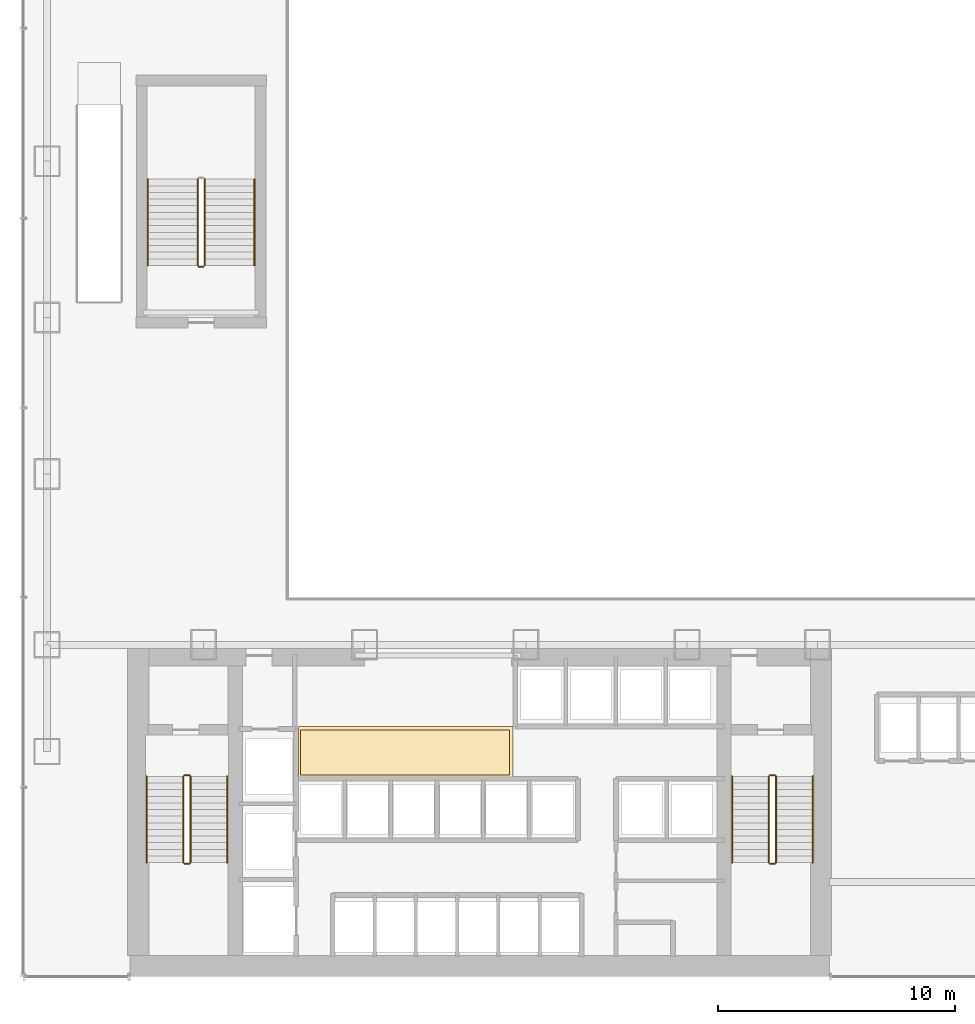
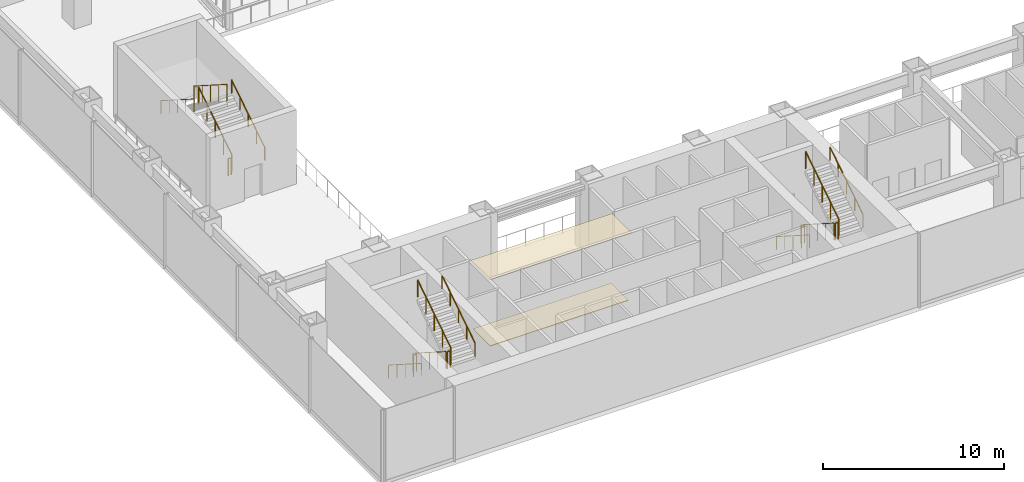
# One storey, part 32 of 39: 17 railings, 2 coverings.
"""IFC4 building model written with IfcOpenShell, lengths in metres."""

from ifc_helpers import new_model, si_unit, derived_unit, direction, frame, origin, origin_2d, place, context, subcontext, project, spatial, polyline, circle, outline, extrude, material, layer, layer_set, type_object, element, save


model = new_model("IFC4")

# Units and contexts
model_context = context("Model", 3, precision=1e-05, world=origin(), true_north=direction((0.0, 1.0)))
body_context = subcontext(model_context, "Body", "Model", "MODEL_VIEW")
ifc_project = project(units=[si_unit("LENGTHUNIT", "METRE"), si_unit("AREAUNIT", "SQUARE_METRE"), si_unit("VOLUMEUNIT", "CUBIC_METRE"), si_unit("PLANEANGLEUNIT", "RADIAN"), si_unit("MASSUNIT", "GRAM", prefix="KILO"), derived_unit("THERMALTRANSMITTANCEUNIT", [(si_unit("POWERUNIT", "WATT"), 1), (si_unit("LENGTHUNIT", "METRE"), -2), (si_unit("THERMODYNAMICTEMPERATUREUNIT", "KELVIN"), -1)])], contexts=[model_context])

# Site, building, storey
site_placement = place(None, origin())
site = spatial("IfcSite", under=ifc_project, at=site_placement, CompositionType="ELEMENT")
building_placement = place(site_placement, origin())
building = spatial("IfcBuilding", under=site, at=building_placement, Name="Skarnbrae Concourse Arena and Tower", CompositionType="ELEMENT")
storey_placement = place(building_placement, frame((0.0, 0.0, 11.0)))
storey = spatial("IfcBuildingStorey", under=building, at=storey_placement, Name="L02", CompositionType="ELEMENT", Elevation=11.0)

# Coverings
ifc_material_1 = material(Name="Mineral fibre acoustic ceiling tile", Category="other")
ifc_layer_1 = layer(ifc_material_1, 0.0400390625)
ifc_layer_set_1 = layer_set([ifc_layer_1], Name="Mineral fibre acoustic ceiling tile")
covering_type_1 = type_object("IfcCoveringType", Name="COV-CEIL-ACOUSTIC", PredefinedType="CEILING", material=ifc_layer_set_1)
covering_1_placement = place(storey_placement, frame((0.0, 0.0, 4.5400390625)))
element("IfcCovering", 1, at=covering_1_placement, inside=storey, type_object=covering_type_1, Name="L02 Lift lobby acoustic ceiling", PredefinedType="CEILING", context=body_context, shape_type="SweptSolid", body=[
    extrude(outline(polyline([(11.60009765625, 8.39990234375), (20.64990234375, 8.39990234375), (20.64990234375, 10.550048828125), (11.60009765625, 10.550048828125), (11.60009765625, 8.39990234375)])), origin(), (0.0, 0.0, 1.0), 0.0400390625),
])
ifc_material_2 = material(Name="Polished granite terrazzo flooring", Category="masonry")
ifc_layer_2 = layer(ifc_material_2, 0.0400390625)
ifc_layer_set_2 = layer_set([ifc_layer_2], Name="Polished granite terrazzo flooring")
covering_type_2 = type_object("IfcCoveringType", Name="COV-FLOOR-TERRAZZO", PredefinedType="FLOORING", material=ifc_layer_set_2)
covering_2_placement = place(storey_placement, origin())
element("IfcCovering", 2, at=covering_2_placement, inside=storey, type_object=covering_type_2, Name="L02 Lift lobby terrazzo flooring", PredefinedType="FLOORING", context=body_context, shape_type="SweptSolid", body=[
    extrude(outline(polyline([(11.699951171875, 8.5), (20.5, 8.5), (20.5, 10.39990234375), (11.699951171875, 10.39990234375), (11.699951171875, 8.5)])), origin(), (0.0, 0.0, 1.0), 0.0400390625),
])

# Railings
ifc_material_3 = material(Name="Steel CSA G40.21 350W", Category="steel")
railing_type_1 = type_object("IfcRailingType", Name="RAIL-HANDRAIL-900", PredefinedType="HANDRAIL", material=ifc_material_3)
railing_1_placement = place(storey_placement, frame((5.199951171875, 8.449951171875, 0.178466796875)))
element("IfcRailing", 3, at=railing_1_placement, inside=storey, type_object=railing_type_1, Name="L02 ST-1 stair handrail 1", PredefinedType="HANDRAIL", context=body_context, shape_type="SweptSolid", body=[
    extrude(circle(Radius=0.02392578125, at=origin_2d()), frame((0.0, 0.0, 0.8759765625), z_axis=(0.0, -0.843111507901, 0.53773877045), x_axis=(1.0, 0.0, 0.0)), (0.0, 0.0, 1.0), 4.317138671875),
    extrude(circle(Radius=0.02099609375, at=origin_2d()), origin(), (0.0, 0.0, 1.0), 0.851806640625),
    extrude(circle(Radius=0.02099609375, at=origin_2d()), frame((0.0, -0.909912109375, 0.580322265625)), (0.0, 0.0, 1.0), 0.851806640625),
    extrude(circle(Radius=0.02099609375, at=origin_2d()), frame((0.0, -1.81982421875, 1.16064453125)), (0.0, 0.0, 1.0), 0.851806640625),
    extrude(circle(Radius=0.02099609375, at=origin_2d()), frame((0.0, -2.72998046875, 1.7412109375)), (0.0, 0.0, 1.0), 0.851806640625),
    extrude(circle(Radius=0.02099609375, at=origin_2d()), frame((0.0, -3.639892578125, 2.321533203125)), (0.0, 0.0, 1.0), 0.851806640625),
])
railing_2_placement = place(storey_placement, frame((8.60009765625, 4.81005859375, 2.678466796875)))
element("IfcRailing", 4, at=railing_2_placement, inside=storey, type_object=railing_type_1, Name="L02 ST-1 stair handrail 2", PredefinedType="HANDRAIL", context=body_context, shape_type="SweptSolid", body=[
    extrude(circle(Radius=0.02392578125, at=origin_2d()), frame((0.0, 0.0, 0.8759765625), z_axis=(0.0, 0.843111507901, 0.53773877045), x_axis=(-1.0, 0.0, 0.0)), (0.0, 0.0, 1.0), 4.317138671875),
    extrude(circle(Radius=0.02099609375, at=origin_2d()), origin(), (0.0, 0.0, 1.0), 0.851806640625),
    extrude(circle(Radius=0.02099609375, at=origin_2d()), frame((0.0, 0.909912109375, 0.580322265625)), (0.0, 0.0, 1.0), 0.851806640625),
    extrude(circle(Radius=0.02099609375, at=origin_2d()), frame((0.0, 1.81982421875, 1.16064453125)), (0.0, 0.0, 1.0), 0.851806640625),
    extrude(circle(Radius=0.02099609375, at=origin_2d()), frame((0.0, 2.72998046875, 1.7412109375)), (0.0, 0.0, 1.0), 0.851806640625),
    extrude(circle(Radius=0.02099609375, at=origin_2d()), frame((0.0, 3.639892578125, 2.321533203125)), (0.0, 0.0, 1.0), 0.851806640625),
])
railing_3_placement = place(storey_placement, frame((29.89990234375, 8.449951171875, 0.178466796875)))
element("IfcRailing", 5, at=railing_3_placement, inside=storey, type_object=railing_type_1, Name="L02 ST-2 stair handrail 1", PredefinedType="HANDRAIL", context=body_context, shape_type="SweptSolid", body=[
    extrude(circle(Radius=0.02392578125, at=origin_2d()), frame((0.0, 0.0, 0.8759765625), z_axis=(0.0, -0.843111507901, 0.53773877045), x_axis=(1.0, 0.0, 0.0)), (0.0, 0.0, 1.0), 4.317138671875),
    extrude(circle(Radius=0.02099609375, at=origin_2d()), origin(), (0.0, 0.0, 1.0), 0.851806640625),
    extrude(circle(Radius=0.02099609375, at=origin_2d()), frame((0.0, -0.909912109375, 0.580322265625)), (0.0, 0.0, 1.0), 0.851806640625),
    extrude(circle(Radius=0.02099609375, at=origin_2d()), frame((0.0, -1.81982421875, 1.16064453125)), (0.0, 0.0, 1.0), 0.851806640625),
    extrude(circle(Radius=0.02099609375, at=origin_2d()), frame((0.0, -2.72998046875, 1.7412109375)), (0.0, 0.0, 1.0), 0.851806640625),
    extrude(circle(Radius=0.02099609375, at=origin_2d()), frame((0.0, -3.639892578125, 2.321533203125)), (0.0, 0.0, 1.0), 0.851806640625),
])
for number, where, name in (
    (6, (33.300048828125, 4.81005859375, 2.678466796875), "L02 ST-2 stair handrail 2"),
    (7, (9.75, 30.0, 0.178466796875), "L02 ST-A3 stair handrail 1"),
):
    element("IfcRailing", number, at=place(storey_placement, frame(where)), inside=storey, type_object=railing_type_1, Name=name, PredefinedType="HANDRAIL", context=body_context, shape_type="SweptSolid", body=[
        extrude(circle(Radius=0.02392578125, at=origin_2d()), frame((0.0, 0.0, 0.8759765625), z_axis=(0.0, 0.843111507901, 0.53773877045), x_axis=(-1.0, 0.0, 0.0)), (0.0, 0.0, 1.0), 4.317138671875),
        extrude(circle(Radius=0.02099609375, at=origin_2d()), origin(), (0.0, 0.0, 1.0), 0.851806640625),
        extrude(circle(Radius=0.02099609375, at=origin_2d()), frame((0.0, 0.909912109375, 0.580322265625)), (0.0, 0.0, 1.0), 0.851806640625),
        extrude(circle(Radius=0.02099609375, at=origin_2d()), frame((0.0, 1.81982421875, 1.16064453125)), (0.0, 0.0, 1.0), 0.851806640625),
        extrude(circle(Radius=0.02099609375, at=origin_2d()), frame((0.0, 2.72998046875, 1.7412109375)), (0.0, 0.0, 1.0), 0.851806640625),
        extrude(circle(Radius=0.02099609375, at=origin_2d()), frame((0.0, 3.639892578125, 2.321533203125)), (0.0, 0.0, 1.0), 0.851806640625),
    ])
railing_4_placement = place(storey_placement, frame((5.25, 33.639892578125, 2.678466796875)))
element("IfcRailing", 8, at=railing_4_placement, inside=storey, type_object=railing_type_1, Name="L02 ST-A3 stair handrail 2", PredefinedType="HANDRAIL", context=body_context, shape_type="SweptSolid", body=[
    extrude(circle(Radius=0.02392578125, at=origin_2d()), frame((0.0, 0.0, 0.8759765625), z_axis=(0.0, -0.843111507901, 0.53773877045), x_axis=(1.0, 0.0, 0.0)), (0.0, 0.0, 1.0), 4.317138671875),
    extrude(circle(Radius=0.02099609375, at=origin_2d()), origin(), (0.0, 0.0, 1.0), 0.851806640625),
    extrude(circle(Radius=0.02099609375, at=origin_2d()), frame((0.0, -0.909912109375, 0.580322265625)), (0.0, 0.0, 1.0), 0.851806640625),
    extrude(circle(Radius=0.02099609375, at=origin_2d()), frame((0.0, -1.81982421875, 1.16064453125)), (0.0, 0.0, 1.0), 0.851806640625),
    extrude(circle(Radius=0.02099609375, at=origin_2d()), frame((0.0, -2.72998046875, 1.7412109375)), (0.0, 0.0, 1.0), 0.851806640625),
    extrude(circle(Radius=0.02099609375, at=origin_2d()), frame((0.0, -3.639892578125, 2.321533203125)), (0.0, 0.0, 1.0), 0.851806640625),
])
railing_type_2 = type_object("IfcRailingType", Name="RAIL-STAIR-GUARD-1150", PredefinedType="GUARDRAIL", material=ifc_material_3)
railing_5_placement = place(storey_placement, frame((6.75, 8.449951171875, 0.178466796875)))
element("IfcRailing", 9, at=railing_5_placement, inside=storey, type_object=railing_type_2, Name="L02 ST-1 stair guard 1", PredefinedType="GUARDRAIL", context=body_context, shape_type="SweptSolid", body=[
    extrude(circle(Radius=0.02392578125, at=origin_2d()), frame((0.0, 0.0, 1.1259765625), z_axis=(0.0, -0.843111507901, 0.53773877045), x_axis=(1.0, 0.0, 0.0)), (0.0, 0.0, 1.0), 4.317138671875),
    extrude(circle(Radius=0.02099609375, at=origin_2d()), origin(), (0.0, 0.0, 1.0), 1.101806640625),
    extrude(circle(Radius=0.02099609375, at=origin_2d()), frame((0.0, -0.909912109375, 0.580322265625)), (0.0, 0.0, 1.0), 1.101806640625),
    extrude(circle(Radius=0.02099609375, at=origin_2d()), frame((0.0, -1.81982421875, 1.16064453125)), (0.0, 0.0, 1.0), 1.101806640625),
    extrude(circle(Radius=0.02099609375, at=origin_2d()), frame((0.0, -2.72998046875, 1.7412109375)), (0.0, 0.0, 1.0), 1.101806640625),
    extrude(circle(Radius=0.02099609375, at=origin_2d()), frame((0.0, -3.639892578125, 2.321533203125)), (0.0, 0.0, 1.0), 1.101806640625),
])
railing_6_placement = place(storey_placement, frame((6.800048828125, 4.760009765625, 2.5)))
element("IfcRailing", 10, at=railing_6_placement, inside=storey, type_object=railing_type_2, Name="L02 ST-1 stair guard 2", PredefinedType="GUARDRAIL", context=body_context, shape_type="SweptSolid", body=[
    extrude(circle(Radius=0.02392578125, at=origin_2d()), frame((0.0, 0.0, 1.1259765625), z_axis=(1.0, 0.0, 0.0), x_axis=(0.0, 1.0, 0.0)), (0.0, 0.0, 1.0), 0.199951171875),
    extrude(circle(Radius=0.02099609375, at=origin_2d()), origin(), (0.0, 0.0, 1.0), 1.101806640625),
    extrude(circle(Radius=0.02099609375, at=origin_2d()), frame((0.199951171875, 0.0, 0.0)), (0.0, 0.0, 1.0), 1.101806640625),
])
railing_7_placement = place(storey_placement, frame((7.050048828125, 4.81005859375, 2.678466796875)))
element("IfcRailing", 11, at=railing_7_placement, inside=storey, type_object=railing_type_2, Name="L02 ST-1 stair guard 3", PredefinedType="GUARDRAIL", context=body_context, shape_type="SweptSolid", body=[
    extrude(circle(Radius=0.02392578125, at=origin_2d()), frame((0.0, 0.0, 1.1259765625), z_axis=(0.0, 0.843111507901, 0.53773877045), x_axis=(-1.0, 0.0, 0.0)), (0.0, 0.0, 1.0), 4.317138671875),
    extrude(circle(Radius=0.02099609375, at=origin_2d()), origin(), (0.0, 0.0, 1.0), 1.101806640625),
    extrude(circle(Radius=0.02099609375, at=origin_2d()), frame((0.0, 0.909912109375, 0.580322265625)), (0.0, 0.0, 1.0), 1.101806640625),
    extrude(circle(Radius=0.02099609375, at=origin_2d()), frame((0.0, 1.81982421875, 1.16064453125)), (0.0, 0.0, 1.0), 1.101806640625),
    extrude(circle(Radius=0.02099609375, at=origin_2d()), frame((0.0, 2.72998046875, 1.7412109375)), (0.0, 0.0, 1.0), 1.101806640625),
    extrude(circle(Radius=0.02099609375, at=origin_2d()), frame((0.0, 3.639892578125, 2.321533203125)), (0.0, 0.0, 1.0), 1.101806640625),
])
railing_8_placement = place(storey_placement, frame((6.800048828125, 8.5, 0.0)))
element("IfcRailing", 12, at=railing_8_placement, inside=storey, type_object=railing_type_2, Name="L02 ST-1 stair guard 4", PredefinedType="GUARDRAIL", context=body_context, shape_type="SweptSolid", body=[
    extrude(circle(Radius=0.02392578125, at=origin_2d()), frame((0.0, 0.0, 1.1259765625), z_axis=(1.0, 0.0, 0.0), x_axis=(0.0, 1.0, 0.0)), (0.0, 0.0, 1.0), 0.199951171875),
    extrude(circle(Radius=0.02099609375, at=origin_2d()), origin(), (0.0, 0.0, 1.0), 1.101806640625),
    extrude(circle(Radius=0.02099609375, at=origin_2d()), frame((0.199951171875, 0.0, 0.0)), (0.0, 0.0, 1.0), 1.101806640625),
])
railing_9_placement = place(storey_placement, frame((31.449951171875, 8.449951171875, 0.178466796875)))
element("IfcRailing", 13, at=railing_9_placement, inside=storey, type_object=railing_type_2, Name="L02 ST-2 stair guard 1", PredefinedType="GUARDRAIL", context=body_context, shape_type="SweptSolid", body=[
    extrude(circle(Radius=0.02392578125, at=origin_2d()), frame((0.0, 0.0, 1.1259765625), z_axis=(0.0, -0.843111507901, 0.53773877045), x_axis=(1.0, 0.0, 0.0)), (0.0, 0.0, 1.0), 4.317138671875),
    extrude(circle(Radius=0.02099609375, at=origin_2d()), origin(), (0.0, 0.0, 1.0), 1.101806640625),
    extrude(circle(Radius=0.02099609375, at=origin_2d()), frame((0.0, -0.909912109375, 0.580322265625)), (0.0, 0.0, 1.0), 1.101806640625),
    extrude(circle(Radius=0.02099609375, at=origin_2d()), frame((0.0, -1.81982421875, 1.16064453125)), (0.0, 0.0, 1.0), 1.101806640625),
    extrude(circle(Radius=0.02099609375, at=origin_2d()), frame((0.0, -2.72998046875, 1.7412109375)), (0.0, 0.0, 1.0), 1.101806640625),
    extrude(circle(Radius=0.02099609375, at=origin_2d()), frame((0.0, -3.639892578125, 2.321533203125)), (0.0, 0.0, 1.0), 1.101806640625),
])
railing_10_placement = place(storey_placement, frame((31.5, 4.760009765625, 2.5)))
element("IfcRailing", 14, at=railing_10_placement, inside=storey, type_object=railing_type_2, Name="L02 ST-2 stair guard 2", PredefinedType="GUARDRAIL", context=body_context, shape_type="SweptSolid", body=[
    extrude(circle(Radius=0.02392578125, at=origin_2d()), frame((0.0, 0.0, 1.1259765625), z_axis=(1.0, 0.0, 0.0), x_axis=(0.0, 1.0, 0.0)), (0.0, 0.0, 1.0), 0.199951171875),
    extrude(circle(Radius=0.02099609375, at=origin_2d()), origin(), (0.0, 0.0, 1.0), 1.101806640625),
    extrude(circle(Radius=0.02099609375, at=origin_2d()), frame((0.199951171875, 0.0, 0.0)), (0.0, 0.0, 1.0), 1.101806640625),
])
railing_11_placement = place(storey_placement, frame((31.75, 4.81005859375, 2.678466796875)))
element("IfcRailing", 15, at=railing_11_placement, inside=storey, type_object=railing_type_2, Name="L02 ST-2 stair guard 3", PredefinedType="GUARDRAIL", context=body_context, shape_type="SweptSolid", body=[
    extrude(circle(Radius=0.02392578125, at=origin_2d()), frame((0.0, 0.0, 1.1259765625), z_axis=(0.0, 0.843111507901, 0.53773877045), x_axis=(-1.0, 0.0, 0.0)), (0.0, 0.0, 1.0), 4.317138671875),
    extrude(circle(Radius=0.02099609375, at=origin_2d()), origin(), (0.0, 0.0, 1.0), 1.101806640625),
    extrude(circle(Radius=0.02099609375, at=origin_2d()), frame((0.0, 0.909912109375, 0.580322265625)), (0.0, 0.0, 1.0), 1.101806640625),
    extrude(circle(Radius=0.02099609375, at=origin_2d()), frame((0.0, 1.81982421875, 1.16064453125)), (0.0, 0.0, 1.0), 1.101806640625),
    extrude(circle(Radius=0.02099609375, at=origin_2d()), frame((0.0, 2.72998046875, 1.7412109375)), (0.0, 0.0, 1.0), 1.101806640625),
    extrude(circle(Radius=0.02099609375, at=origin_2d()), frame((0.0, 3.639892578125, 2.321533203125)), (0.0, 0.0, 1.0), 1.101806640625),
])
railing_12_placement = place(storey_placement, frame((31.5, 8.5, 0.0)))
element("IfcRailing", 16, at=railing_12_placement, inside=storey, type_object=railing_type_2, Name="L02 ST-2 stair guard 4", PredefinedType="GUARDRAIL", context=body_context, shape_type="SweptSolid", body=[
    extrude(circle(Radius=0.02392578125, at=origin_2d()), frame((0.0, 0.0, 1.1259765625), z_axis=(1.0, 0.0, 0.0), x_axis=(0.0, 1.0, 0.0)), (0.0, 0.0, 1.0), 0.199951171875),
    extrude(circle(Radius=0.02099609375, at=origin_2d()), origin(), (0.0, 0.0, 1.0), 1.101806640625),
    extrude(circle(Radius=0.02099609375, at=origin_2d()), frame((0.199951171875, 0.0, 0.0)), (0.0, 0.0, 1.0), 1.101806640625),
])
railing_13_placement = place(storey_placement, frame((7.64990234375, 30.0, 0.178466796875)))
element("IfcRailing", 17, at=railing_13_placement, inside=storey, type_object=railing_type_2, Name="L02 ST-A3 stair guard 1", PredefinedType="GUARDRAIL", context=body_context, shape_type="SweptSolid", body=[
    extrude(circle(Radius=0.02392578125, at=origin_2d()), frame((0.0, 0.0, 1.1259765625), z_axis=(0.0, 0.843111507901, 0.53773877045), x_axis=(-1.0, 0.0, 0.0)), (0.0, 0.0, 1.0), 4.317138671875),
    extrude(circle(Radius=0.02099609375, at=origin_2d()), origin(), (0.0, 0.0, 1.0), 1.101806640625),
    extrude(circle(Radius=0.02099609375, at=origin_2d()), frame((0.0, 0.909912109375, 0.580322265625)), (0.0, 0.0, 1.0), 1.101806640625),
    extrude(circle(Radius=0.02099609375, at=origin_2d()), frame((0.0, 1.81982421875, 1.16064453125)), (0.0, 0.0, 1.0), 1.101806640625),
    extrude(circle(Radius=0.02099609375, at=origin_2d()), frame((0.0, 2.72998046875, 1.7412109375)), (0.0, 0.0, 1.0), 1.101806640625),
    extrude(circle(Radius=0.02099609375, at=origin_2d()), frame((0.0, 3.639892578125, 2.321533203125)), (0.0, 0.0, 1.0), 1.101806640625),
])
railing_14_placement = place(storey_placement, frame((7.35009765625, 33.639892578125, 2.678466796875)))
element("IfcRailing", 18, at=railing_14_placement, inside=storey, type_object=railing_type_2, Name="L02 ST-A3 stair guard 3", PredefinedType="GUARDRAIL", context=body_context, shape_type="SweptSolid", body=[
    extrude(circle(Radius=0.02392578125, at=origin_2d()), frame((0.0, 0.0, 1.1259765625), z_axis=(0.0, -0.843111507901, 0.53773877045), x_axis=(1.0, 0.0, 0.0)), (0.0, 0.0, 1.0), 4.317138671875),
    extrude(circle(Radius=0.02099609375, at=origin_2d()), origin(), (0.0, 0.0, 1.0), 1.101806640625),
    extrude(circle(Radius=0.02099609375, at=origin_2d()), frame((0.0, -0.909912109375, 0.580322265625)), (0.0, 0.0, 1.0), 1.101806640625),
    extrude(circle(Radius=0.02099609375, at=origin_2d()), frame((0.0, -1.81982421875, 1.16064453125)), (0.0, 0.0, 1.0), 1.101806640625),
    extrude(circle(Radius=0.02099609375, at=origin_2d()), frame((0.0, -2.72998046875, 1.7412109375)), (0.0, 0.0, 1.0), 1.101806640625),
    extrude(circle(Radius=0.02099609375, at=origin_2d()), frame((0.0, -3.639892578125, 2.321533203125)), (0.0, 0.0, 1.0), 1.101806640625),
])
railing_15_placement = place(storey_placement, frame((7.60009765625, 29.949951171875, 0.0)))
element("IfcRailing", 19, at=railing_15_placement, inside=storey, type_object=railing_type_2, Name="L02 ST-A3 stair guard 4", PredefinedType="GUARDRAIL", context=body_context, shape_type="SweptSolid", body=[
    extrude(circle(Radius=0.02392578125, at=origin_2d()), frame((0.0, 0.0, 1.1259765625), z_axis=(-1.0, 0.0, 0.0), x_axis=(0.0, -1.0, 0.0)), (0.0, 0.0, 1.0), 0.2001953125),
    extrude(circle(Radius=0.02099609375, at=origin_2d()), origin(), (0.0, 0.0, 1.0), 1.101806640625),
    extrude(circle(Radius=0.02099609375, at=origin_2d()), frame((-0.2001953125, 0.0, 0.0)), (0.0, 0.0, 1.0), 1.101806640625),
])

save(model, "model.ifc")
